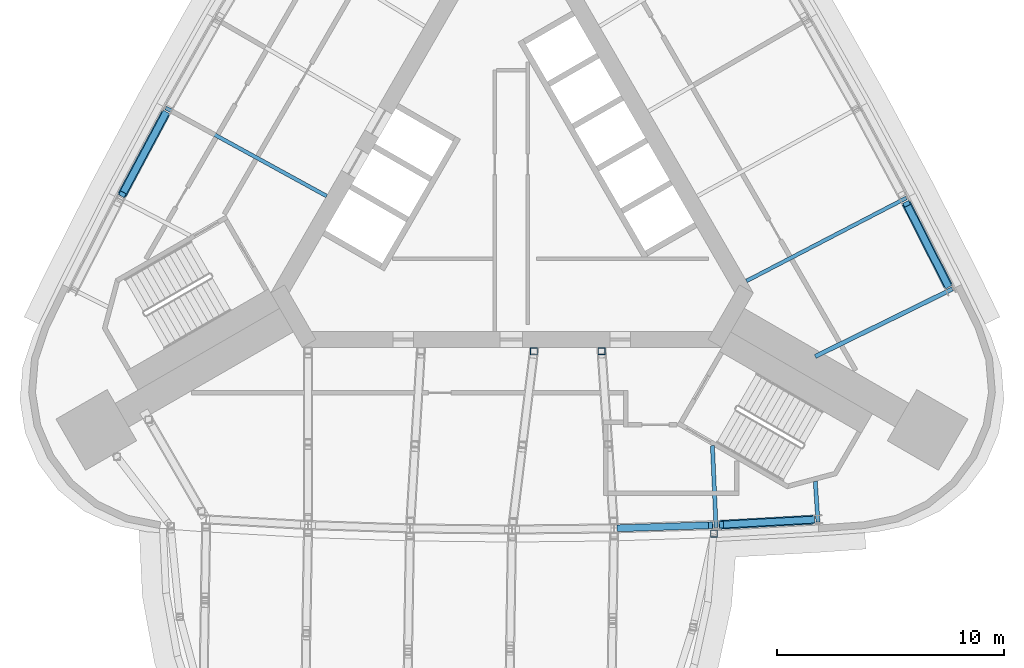
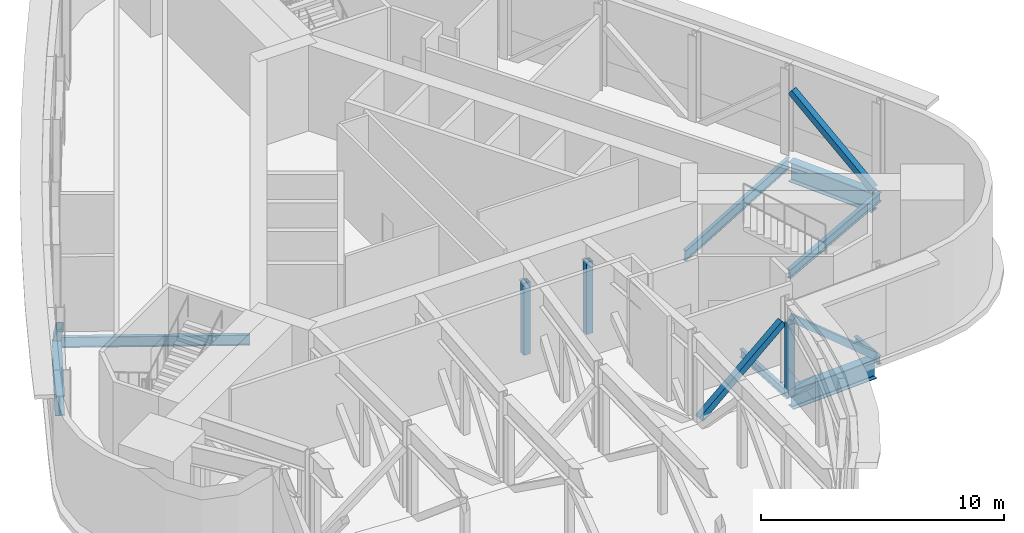
# One storey, part 4 of 10: 8 beams, 7 members.
"""IFC4 building model written with IfcOpenShell, lengths in metres."""

from ifc_helpers import new_model, si_unit, direction, frame, origin, origin_2d, place, context, subcontext, project, spatial, hollow_rectangle, i_section, extrude, material, material_profile, profile_set, type_object, element, save


model = new_model("IFC4")

# Units and contexts
model_context = context("Model", 3, precision=1e-05, world=origin(), true_north=direction((0.0, 1.0)))
body_context = subcontext(model_context, "Body", "Model", "MODEL_VIEW")
ifc_project = project(units=[si_unit("LENGTHUNIT", "METRE"), si_unit("AREAUNIT", "SQUARE_METRE"), si_unit("VOLUMEUNIT", "CUBIC_METRE"), si_unit("PLANEANGLEUNIT", "RADIAN"), si_unit("MASSUNIT", "GRAM", prefix="KILO")], contexts=[model_context])

# Site, building, storey
site_placement = place(None, origin())
site = spatial("IfcSite", under=ifc_project, at=site_placement, CompositionType="ELEMENT")
building_placement = place(site_placement, origin())
building = spatial("IfcBuilding", under=site, at=building_placement, Name="Noor Cloister Tower", CompositionType="ELEMENT")
storey_placement = place(building_placement, frame((0.0, 0.0, 210.300048828125)))
storey = spatial("IfcBuildingStorey", under=building, at=storey_placement, Name="L54", CompositionType="ELEMENT", Elevation=210.300048828125)

# Beams
ifc_material_1 = material(Name="Steel ASTM A992 Gr 50", Category="steel")
ifc_material_profile_1 = material_profile(ifc_material_1, i_section(OverallWidth=0.40087890625, OverallDepth=0.98291015625, WebThickness=0.0166015625, FlangeThickness=0.027099609375, FilletRadius=0.030029296875, at=origin_2d()), Name="W1000x296")
ifc_profile_set_1 = profile_set([ifc_material_profile_1], Name="Steel ASTM A992 Gr 50")
beam_type_1 = type_object("IfcBeamType", Name="Belt chord girder W1000x296", PredefinedType="BEAM", material=ifc_profile_set_1)
for number, where, z_axis, x_axis, name in (
    (1, (-15.232421875, 3.385498046875, -0.79150390625), (-0.470956542932, -0.882156411681, 0.0), (0.882156411681, -0.470956542932, 0.0), "Spandrel beam NW 05 L54"),
    (2, (9.16943359375, -14.73095703125, -0.79150390625), (0.998470612273, 0.055285047042, 0.0), (-0.055285047042, 0.998470612273, 0.0), "Spandrel beam S 06 L54"),
    (3, (19.189697265625, -4.228515625, -0.79150390625), (-0.451335742221, 0.89235421655, 0.0), (-0.89235421655, -0.451335742221, 0.0), "Spandrel beam NE 01 L54"),
):
    element("IfcBeam", number, at=place(storey_placement, frame(where, z_axis=z_axis, x_axis=x_axis)), inside=storey, type_object=beam_type_1, Name=name, PredefinedType="BEAM", context=body_context, shape_type="SweptSolid", body=[
        extrude(i_section(OverallWidth=0.40087890625, OverallDepth=0.98291015625, WebThickness=0.0166015625, FlangeThickness=0.027099609375, FilletRadius=0.030029296875, at=origin_2d()), origin(), (0.0, 0.0, 1.0), 4.09375),
    ])

# Members
ifc_material_2 = material(Name="Steel ASTM A500 Gr C", Category="steel")
ifc_material_profile_2 = material_profile(ifc_material_2, hollow_rectangle(XDim=0.304931640625, YDim=0.304931640625, WallThickness=0.0126953125, at=origin_2d()), Name="HSS304.8x304.8x12.7")
ifc_profile_set_2 = profile_set([ifc_material_profile_2], Name="Steel ASTM A500 Gr C")
member_type_1 = type_object("IfcMemberType", Name="Belt truss diagonal HSS304.8x304.8x12.7", PredefinedType="BRACE", material=ifc_profile_set_2)
for number, where, z_axis, x_axis, name in (
    (4, (-15.25146484375, 3.349609375, -0.183349609375), (-0.360048972198, -0.674376701705, 0.644655568359), (0.882145698725, -0.470976608996, 0.0), "Belt truss diagonal NW 05 L54"),
    (5, (4.724853515625, -14.883056640625, -0.183349609375), (0.764051433143, 0.025395512418, 0.644655315235), (-0.03321961707, 0.999448076211, 0.0), "Belt truss diagonal S 05 L54"),
    (6, (13.216552734375, -14.5068359375, -0.183349609375), (-0.763304965985, -0.042279216019, 0.644653392758), (0.05530490445, -0.998469512576, 0.0), "Belt truss diagonal S 06 L54"),
    (7, (19.17138671875, -4.1923828125, -0.183349609375), (-0.345024295927, 0.682188103041, 0.644653106166), (-0.892361294309, -0.451321748223, 0.0), "Belt truss diagonal NE 01 L54"),
):
    element("IfcMember", number, at=place(storey_placement, frame(where, z_axis=z_axis, x_axis=x_axis)), inside=storey, type_object=member_type_1, Name=name, PredefinedType="BRACE", context=body_context, shape_type="SweptSolid", body=[
        extrude(hollow_rectangle(XDim=0.304931640625, YDim=0.304931640625, WallThickness=0.0126953125, at=origin_2d()), origin(), (0.0, 0.0, 1.0), 5.2490234375),
    ])
ifc_material_3 = material(Name="Steel ASTM A500 Gr C", Category="steel")
ifc_material_profile_3 = material_profile(ifc_material_3, hollow_rectangle(XDim=0.304931640625, YDim=0.304931640625, WallThickness=0.0126953125, at=origin_2d()), Name="HSS304.8x304.8x12.7")
ifc_profile_set_3 = profile_set([ifc_material_profile_3], Name="Steel ASTM A500 Gr C")
member_type_2 = type_object("IfcMemberType", Name="Pod truss post HSS304.8x304.8x12.7", PredefinedType="POST", material=ifc_profile_set_3)
member_placement = place(storey_placement, frame((8.88818359375, -15.117919921875, -0.300048828125), z_axis=(0.0, 0.0, 1.0), x_axis=(1.0, 0.0, 0.0)))
element("IfcMember", 8, at=member_placement, inside=storey, type_object=member_type_2, Name="Pod truss 4 post ring node 12", PredefinedType="POST", context=body_context, shape_type="SweptSolid", body=[
    extrude(hollow_rectangle(XDim=0.304931640625, YDim=0.304931640625, WallThickness=0.0126953125, at=origin_2d()), origin(), (0.0, 0.0, 1.0), 3.6201171875),
])
for number, where, z_axis, x_axis, name in (
    (9, (0.962158203125, -7.10400390625, -0.300048828125), (0.0, 0.0, 1.0), (1.0, 0.0, 0.0), "Pod truss 4 post line 4 back span 3"),
    (10, (3.9423828125, -7.09423828125, -0.300048828125), (0.0, 0.0, 1.0), (1.0, 0.0, 0.0), "Pod truss 4 post line 5 back span 3"),
):
    element("IfcMember", number, at=place(storey_placement, frame(where, z_axis=z_axis, x_axis=x_axis)), inside=storey, type_object=member_type_2, Name=name, PredefinedType="POST", context=body_context, shape_type="SweptSolid", body=[
        extrude(hollow_rectangle(XDim=0.304931640625, YDim=0.304931640625, WallThickness=0.0126953125, at=origin_2d()), origin(), (0.0, 0.0, 1.0), 3.616943359375),
    ])

# Beams
ifc_material_4 = material(Name="Steel ASTM A992 Gr 50", Category="steel")
ifc_material_profile_4 = material_profile(ifc_material_4, i_section(OverallWidth=0.177978515625, OverallDepth=0.406005859375, WebThickness=0.0078125, FlangeThickness=0.0126953125, FilletRadius=0.01025390625, at=origin_2d()), Name="W410x60")
ifc_profile_set_4 = profile_set([ifc_material_profile_4], Name="Steel ASTM A992 Gr 50")
beam_type_2 = type_object("IfcBeamType", Name="Radial beam W410x60", PredefinedType="BEAM", material=ifc_profile_set_4)
beam_1_placement = place(storey_placement, frame((8.977783203125, -14.853759765625, -0.5029296875), z_axis=(-0.044289469629, 0.999018740004, 0.0), x_axis=(-0.999018740004, -0.044289469629, 0.0)))
element("IfcBeam", 11, at=beam_1_placement, inside=storey, type_object=beam_type_2, Name="Radial beam S 06 L54", PredefinedType="BEAM", context=body_context, shape_type="SweptSolid", body=[
    extrude(i_section(OverallWidth=0.177978515625, OverallDepth=0.406005859375, WebThickness=0.0078125, FlangeThickness=0.0126953125, FilletRadius=0.01025390625, at=origin_2d()), origin(), (0.0, 0.0, 1.0), 3.60498046875),
])
beam_2_placement = place(storey_placement, frame((13.4609375, -14.60546875, -0.5029296875), z_axis=(-0.066338189015, 0.997797196167, 0.0), x_axis=(-0.997797196167, -0.066338189015, 0.0)))
element("IfcBeam", 12, at=beam_2_placement, inside=storey, type_object=beam_type_2, Name="Radial beam S 07 L54", PredefinedType="BEAM", context=body_context, shape_type="SweptSolid", body=[
    extrude(i_section(OverallWidth=0.177978515625, OverallDepth=0.406005859375, WebThickness=0.0078125, FlangeThickness=0.0126953125, FilletRadius=0.01025390625, at=origin_2d()), origin(), (0.0, 0.0, 1.0), 1.792236328125),
])
ifc_material_5 = material(Name="Steel ASTM A992 Gr 50", Category="steel")
ifc_material_profile_5 = material_profile(ifc_material_5, i_section(OverallWidth=0.19091796875, OverallDepth=0.45703125, WebThickness=0.009033203125, FlangeThickness=0.014404296875, FilletRadius=0.01025390625, at=origin_2d()), Name="W460x74")
ifc_profile_set_5 = profile_set([ifc_material_profile_5], Name="Steel ASTM A992 Gr 50")
beam_type_3 = type_object("IfcBeamType", Name="Radial beam W460x74", PredefinedType="BEAM", material=ifc_profile_set_5)
beam_3_placement = place(storey_placement, frame((19.379150390625, -4.35498046875, -0.528564453125), z_axis=(-0.897302866294, -0.441415412215, 0.0), x_axis=(0.441415412215, -0.897302866294, 0.0)))
element("IfcBeam", 13, at=beam_3_placement, inside=storey, type_object=beam_type_3, Name="Radial beam NE 01 L54", PredefinedType="BEAM", context=body_context, shape_type="SweptSolid", body=[
    extrude(i_section(OverallWidth=0.19091796875, OverallDepth=0.45703125, WebThickness=0.009033203125, FlangeThickness=0.014404296875, FilletRadius=0.01025390625, at=origin_2d()), origin(), (0.0, 0.0, 1.0), 6.73095703125),
])
ifc_material_6 = material(Name="Steel ASTM A992 Gr 50", Category="steel")
ifc_material_profile_6 = material_profile(ifc_material_6, i_section(OverallWidth=0.166015625, OverallDepth=0.528076171875, WebThickness=0.009765625, FlangeThickness=0.013671875, FilletRadius=0.0126953125, at=origin_2d()), Name="W530x74")
ifc_profile_set_6 = profile_set([ifc_material_profile_6], Name="Steel ASTM A992 Gr 50")
beam_type_4 = type_object("IfcBeamType", Name="Radial beam W530x74", PredefinedType="BEAM", material=ifc_profile_set_6)
beam_4_placement = place(storey_placement, frame((-15.23779296875, 3.613037109375, -0.56396484375), z_axis=(0.876878176155, -0.480712662808, 0.0), x_axis=(0.480712662808, 0.876878176155, 0.0)))
element("IfcBeam", 14, at=beam_4_placement, inside=storey, type_object=beam_type_4, Name="Radial beam NW 05 L54", PredefinedType="BEAM", context=body_context, shape_type="SweptSolid", body=[
    extrude(i_section(OverallWidth=0.166015625, OverallDepth=0.528076171875, WebThickness=0.009765625, FlangeThickness=0.013671875, FilletRadius=0.0126953125, at=origin_2d()), origin(), (0.0, 0.0, 1.0), 8.07666015625),
])
beam_5_placement = place(storey_placement, frame((17.3525390625, -0.347900390625, -0.56396484375), z_axis=(-0.887294381495, -0.461203513178, 0.0), x_axis=(0.461203513178, -0.887294381495, 0.0)))
element("IfcBeam", 15, at=beam_5_placement, inside=storey, type_object=beam_type_4, Name="Radial beam NE 02 L54", PredefinedType="BEAM", context=body_context, shape_type="SweptSolid", body=[
    extrude(i_section(OverallWidth=0.166015625, OverallDepth=0.528076171875, WebThickness=0.009765625, FlangeThickness=0.013671875, FilletRadius=0.0126953125, at=origin_2d()), origin(), (0.0, 0.0, 1.0), 7.933349609375),
])

save(model, "model.ifc")
